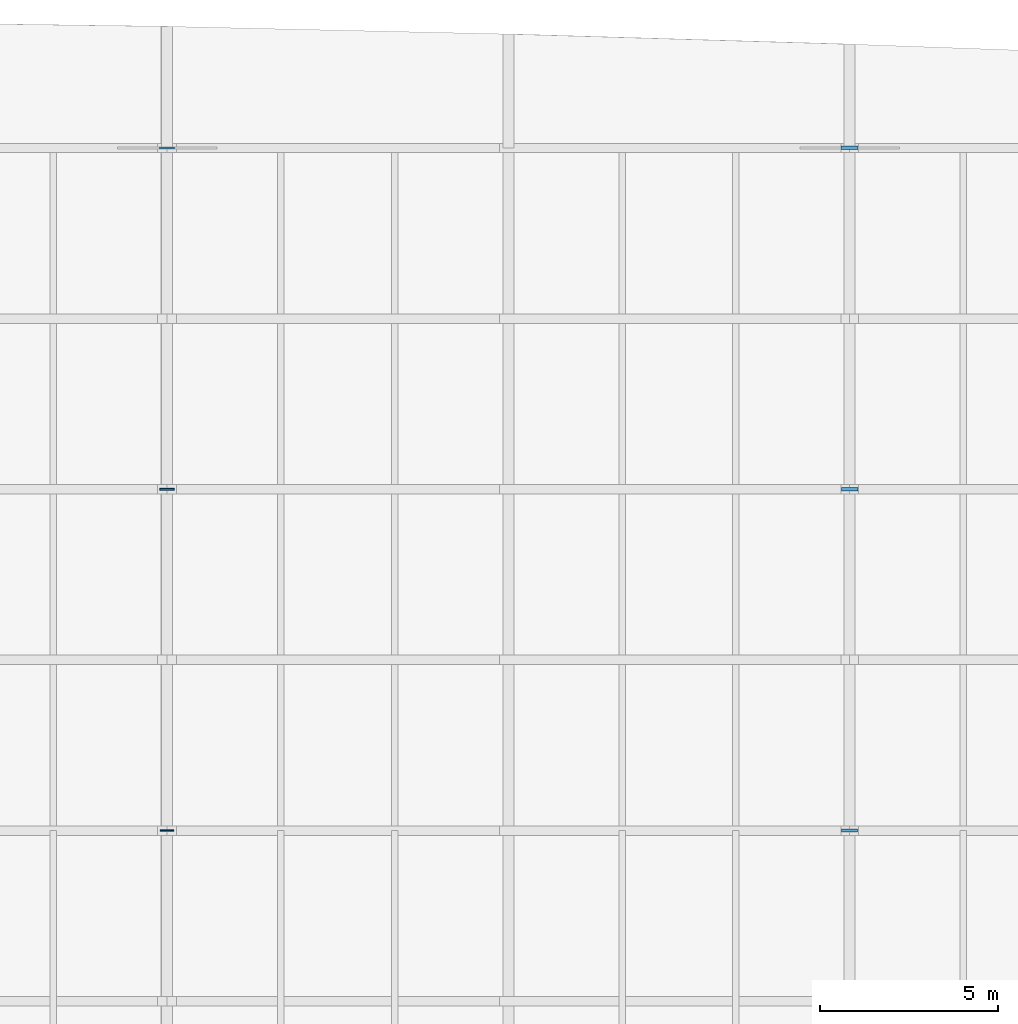
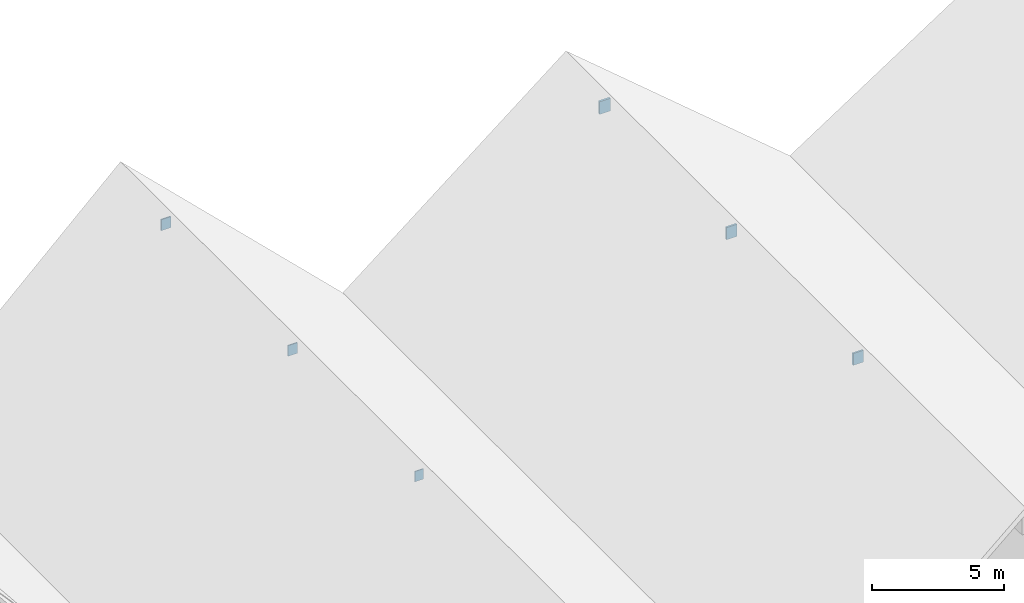
# One storey, part 28 of 42: 6 plates.
"""IFC4 building model written with IfcOpenShell, lengths in metres."""

from ifc_helpers import new_model, si_unit, direction, frame, origin, origin_2d, place, context, subcontext, project, spatial, rectangle, extrude, material, layer, layer_set, type_object, element, save


model = new_model("IFC4")

# Units and contexts
model_context = context("Model", 3, precision=1e-05, world=origin(), true_north=direction((0.0, 1.0)))
body_context = subcontext(model_context, "Body", "Model", "MODEL_VIEW")
ifc_project = project(units=[si_unit("LENGTHUNIT", "METRE"), si_unit("AREAUNIT", "SQUARE_METRE"), si_unit("VOLUMEUNIT", "CUBIC_METRE"), si_unit("PLANEANGLEUNIT", "RADIAN"), si_unit("MASSUNIT", "GRAM", prefix="KILO")], contexts=[model_context])

# Site, building, storey
site_placement = place(None, origin())
site = spatial("IfcSite", under=ifc_project, at=site_placement, CompositionType="ELEMENT")
building_placement = place(site_placement, origin())
building = spatial("IfcBuilding", under=site, at=building_placement, Name="Kolvemor Railside Polytechnic", CompositionType="ELEMENT")
storey_placement = place(building_placement, frame((0.0, 0.0, 14.39990234375)))
storey = spatial("IfcBuildingStorey", under=building, at=storey_placement, Name="L03", CompositionType="ELEMENT", Elevation=14.39990234375)

# Plates
ifc_material_1 = material(Name="Steel S355", Category="steel")
ifc_layer_1 = layer(ifc_material_1, 0.0380859375, Name="PLT-GUSSET-3")
ifc_layer_set_1 = layer_set([ifc_layer_1], Name="Steel S355")
plate_type_1 = type_object("IfcPlateType", Name="PLT-GUSSET-3", PredefinedType="USERDEFINED", material=ifc_layer_set_1)
plate_1_placement = place(storey_placement, frame((105.60009765625, 100.800048828125, 4.078857421875), z_axis=(0.0, 0.0, 1.0), x_axis=(1.0, 0.0, 0.0)))
element("IfcPlate", 1, at=plate_1_placement, inside=storey, type_object=plate_type_1, Name="Ridge Gusset Plate GP-5-2", ObjectType="GUSSET PLATE", PredefinedType="USERDEFINED", context=body_context, shape_type="SweptSolid", body=[
    extrude(rectangle(XDim=0.385009765625, YDim=0.0380859375, at=origin_2d()), origin(), (0.0, 0.0, 1.0), 0.47412109375),
])
ifc_material_2 = material(Name="Steel S355", Category="steel")
ifc_layer_2 = layer(ifc_material_2, 0.048095703125, Name="PLT-GUSSET-4")
ifc_layer_set_2 = layer_set([ifc_layer_2], Name="Steel S355")
plate_type_2 = type_object("IfcPlateType", Name="PLT-GUSSET-4", PredefinedType="USERDEFINED", material=ifc_layer_set_2)
plate_2_placement = place(storey_placement, frame((105.60009765625, 110.39990234375, 4.06982421875), z_axis=(0.0, 0.0, 1.0), x_axis=(1.0, 0.0, 0.0)))
element("IfcPlate", 2, at=plate_2_placement, inside=storey, type_object=plate_type_2, Name="Ridge Gusset Plate GP-5-3", ObjectType="GUSSET PLATE", PredefinedType="USERDEFINED", context=body_context, shape_type="SweptSolid", body=[
    extrude(rectangle(XDim=0.39990234375, YDim=0.048095703125, at=origin_2d()), origin(), (0.0, 0.0, 1.0), 0.491943359375),
])
ifc_material_3 = material(Name="Steel S355", Category="steel")
ifc_layer_3 = layer(ifc_material_3, 0.05810546875, Name="PLT-GUSSET-5")
ifc_layer_set_3 = layer_set([ifc_layer_3], Name="Steel S355")
plate_type_3 = type_object("IfcPlateType", Name="PLT-GUSSET-5", PredefinedType="USERDEFINED", material=ifc_layer_set_3)
plate_3_placement = place(storey_placement, frame((105.60009765625, 120.0, 4.06103515625), z_axis=(0.0, 0.0, 1.0), x_axis=(1.0, 0.0, 0.0)))
element("IfcPlate", 3, at=plate_3_placement, inside=storey, type_object=plate_type_3, Name="Ridge Gusset Plate GP-5-4", ObjectType="GUSSET PLATE", PredefinedType="USERDEFINED", context=body_context, shape_type="SweptSolid", body=[
    extrude(rectangle(XDim=0.4150390625, YDim=0.05810546875, at=origin_2d()), origin(), (0.0, 0.0, 1.0), 0.510009765625),
])
ifc_material_4 = material(Name="Steel S355", Category="steel")
ifc_layer_4 = layer(ifc_material_4, 0.077880859375, Name="PLT-GUSSET-7")
ifc_layer_set_4 = layer_set([ifc_layer_4], Name="Steel S355")
plate_type_4 = type_object("IfcPlateType", Name="PLT-GUSSET-7", PredefinedType="USERDEFINED", material=ifc_layer_set_4)
plate_4_placement = place(storey_placement, frame((124.800048828125, 100.800048828125, 2.7646484375), z_axis=(0.0, 0.0, 1.0), x_axis=(1.0, 0.0, 0.0)))
element("IfcPlate", 4, at=plate_4_placement, inside=storey, type_object=plate_type_4, Name="Ridge Gusset Plate GP-6-2", ObjectType="GUSSET PLATE", PredefinedType="USERDEFINED", context=body_context, shape_type="SweptSolid", body=[
    extrude(rectangle(XDim=0.445068359375, YDim=0.077880859375, at=origin_2d()), origin(), (0.0, 0.0, 1.0), 0.5458984375),
])
ifc_material_5 = material(Name="Steel S355", Category="steel")
ifc_layer_5 = layer(ifc_material_5, 0.087890625, Name="PLT-GUSSET-8")
ifc_layer_set_5 = layer_set([ifc_layer_5], Name="Steel S355")
plate_type_5 = type_object("IfcPlateType", Name="PLT-GUSSET-8", PredefinedType="USERDEFINED", material=ifc_layer_set_5)
plate_5_placement = place(storey_placement, frame((124.800048828125, 110.39990234375, 2.755615234375), z_axis=(0.0, 0.0, 1.0), x_axis=(1.0, 0.0, 0.0)))
element("IfcPlate", 5, at=plate_5_placement, inside=storey, type_object=plate_type_5, Name="Ridge Gusset Plate GP-6-3", ObjectType="GUSSET PLATE", PredefinedType="USERDEFINED", context=body_context, shape_type="SweptSolid", body=[
    extrude(rectangle(XDim=0.4599609375, YDim=0.087890625, at=origin_2d()), origin(), (0.0, 0.0, 1.0), 0.56396484375),
])
ifc_material_6 = material(Name="Steel S355", Category="steel")
ifc_layer_6 = layer(ifc_material_6, 0.097900390625, Name="PLT-GUSSET-9")
ifc_layer_set_6 = layer_set([ifc_layer_6], Name="Steel S355")
plate_type_6 = type_object("IfcPlateType", Name="PLT-GUSSET-9", PredefinedType="USERDEFINED", material=ifc_layer_set_6)
plate_6_placement = place(storey_placement, frame((124.800048828125, 120.0, 2.74658203125), z_axis=(0.0, 0.0, 1.0), x_axis=(1.0, 0.0, 0.0)))
element("IfcPlate", 6, at=plate_6_placement, inside=storey, type_object=plate_type_6, Name="Ridge Gusset Plate GP-6-4", ObjectType="GUSSET PLATE", PredefinedType="USERDEFINED", context=body_context, shape_type="SweptSolid", body=[
    extrude(rectangle(XDim=0.47509765625, YDim=0.097900390625, at=origin_2d()), origin(), (0.0, 0.0, 1.0), 0.58203125),
])

save(model, "model.ifc")
